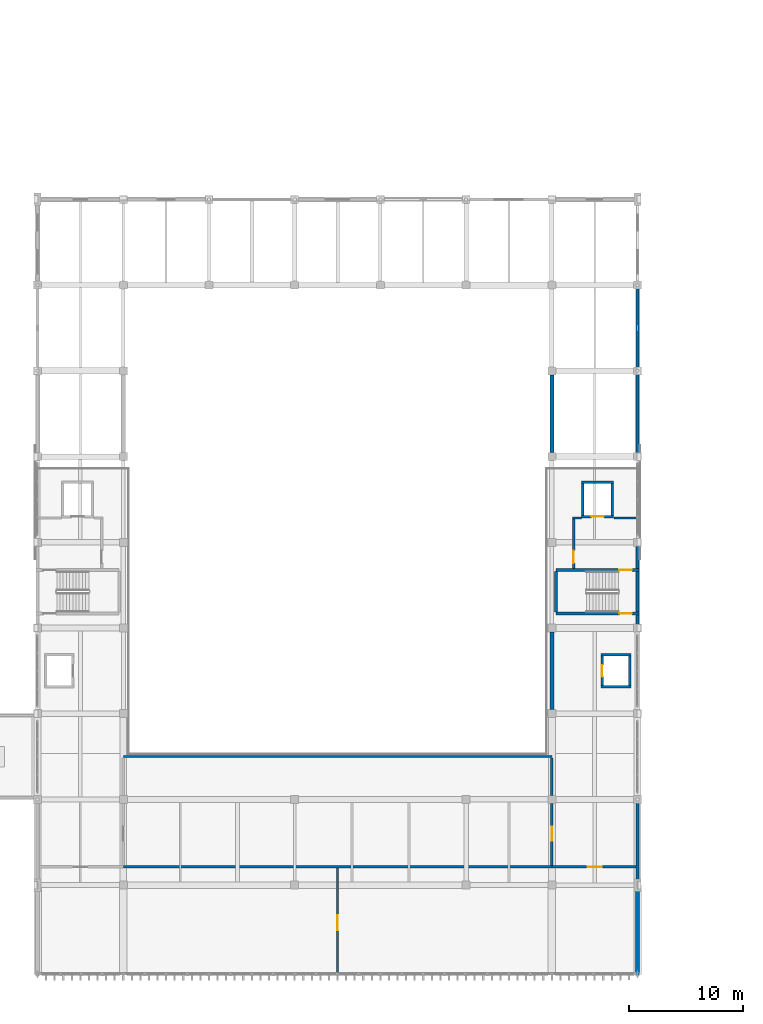
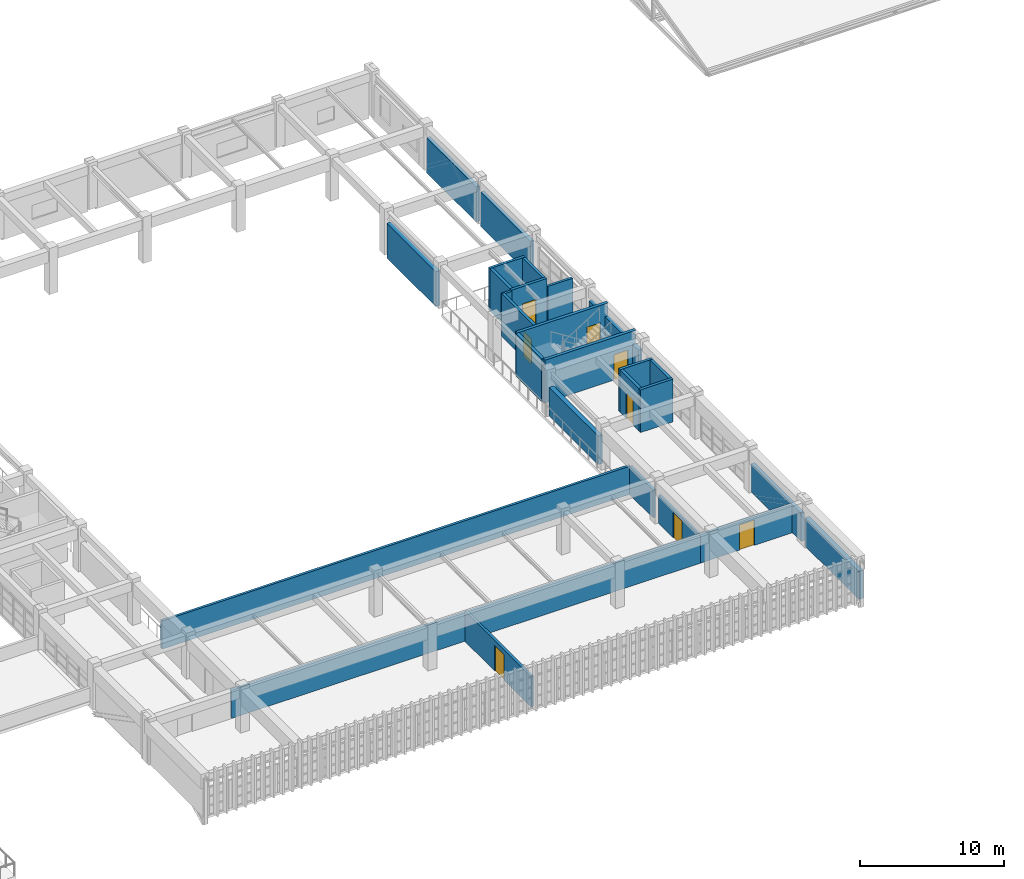
# One storey, part 63 of 82: 27 walls, 8 doors, 8 openings.
"""IFC4 building model written with IfcOpenShell, lengths in metres."""

from ifc_helpers import new_model, si_unit, direction, frame, frame_2d, origin, place, context, subcontext, project, spatial, rectangle, extrude, material, layer, layer_set, type_object, element, fill, save


model = new_model("IFC4")

# Units and contexts
model_context = context("Model", 3, precision=1e-05, world=origin(), true_north=direction((0.0, 1.0)))
body_context = subcontext(model_context, "Body", "Model", "MODEL_VIEW")
ifc_project = project(units=[si_unit("LENGTHUNIT", "METRE"), si_unit("AREAUNIT", "SQUARE_METRE"), si_unit("VOLUMEUNIT", "CUBIC_METRE"), si_unit("PLANEANGLEUNIT", "RADIAN"), si_unit("MASSUNIT", "GRAM", prefix="KILO")], contexts=[model_context])

# Site, building, storey
site_placement = place(None, origin())
site = spatial("IfcSite", under=ifc_project, at=site_placement, CompositionType="ELEMENT")
building_placement = place(site_placement, origin())
building = spatial("IfcBuilding", under=site, at=building_placement, Name="Qasida Concert Hall", CompositionType="ELEMENT")
storey_placement = place(building_placement, frame((0.0, 0.0, 17.10009765625)))
storey = spatial("IfcBuildingStorey", under=building, at=storey_placement, Name="L04", CompositionType="ELEMENT", Elevation=17.10009765625)

# Walls
ifc_material_1 = material(Name="Concrete C40/50", Category="concrete")
ifc_layer_1 = layer(ifc_material_1, 0.219970703125, Name="Concrete C40/50")
ifc_layer_set_1 = layer_set([ifc_layer_1], Name="Concrete C40/50")
wall_type_1 = type_object("IfcWallType", Name="WL-CW-220", PredefinedType="SOLIDWALL", material=ifc_layer_set_1)
for number, where, z_axis, x_axis, name in (
    (1, (101.7900390625, 39.85009765625, 0.0), (0.0, 0.0, 1.0), (1.0, 0.0, 0.0), "L04 LF-02 lift shaft wall S"),
    (2, (101.7900390625, 42.64990234375, 0.0), (0.0, 0.0, 1.0), (1.0, 0.0, 0.0), "L04 LF-02 lift shaft wall N"),
):
    element("IfcWall", number, at=place(storey_placement, frame(where, z_axis=z_axis, x_axis=x_axis)), inside=storey, type_object=wall_type_1, Name=name, PredefinedType="SOLIDWALL", context=body_context, shape_type="SweptSolid", body=[
        extrude(rectangle(XDim=2.619873046875, YDim=0.219970703125, at=frame_2d((1.31005859375, 0.0))), origin(), (0.0, 0.0, 1.0), 3.619873046875),
    ])

# Wall, opening, door
wall_1_placement = place(storey_placement, frame((101.89990234375, 39.9599609375, 0.0), z_axis=(0.0, 0.0, 1.0), x_axis=(0.0, 1.0, 0.0)))
wall_1 = element("IfcWall", 3, at=wall_1_placement, inside=storey, type_object=wall_type_1, Name="L04 LF-02 lift shaft wall W", PredefinedType="SOLIDWALL", context=body_context, shape_type="SweptSolid", body=[
    extrude(rectangle(XDim=2.580078125, YDim=0.219970703125, at=frame_2d((1.2900390625, 0.0))), origin(), (0.0, 0.0, 1.0), 3.619873046875),
])
opening_1_placement = place(wall_1_placement, frame((0.7900390625, 0.0, 0.0)))
opening_1 = element("IfcOpeningElement", 4, at=opening_1_placement, cuts=wall_1, Name="Opening LD-100", PredefinedType="OPENING", context=body_context, shape_type="SweptSolid", body=[
    extrude(rectangle(XDim=1.0, YDim=2.14990234375, at=frame_2d((0.5, 1.074951171875))), frame((0.0, 0.119873046875, 0.0), z_axis=(0.0, -1.0, 0.0), x_axis=(1.0, 0.0, 0.0)), (0.0, 0.0, 1.0), 0.239990234375),
])
ifc_material_2 = material(Name="Brushed bronze passenger lift landing door", Category="steel")
door_type_1 = type_object("IfcDoorType", Name="LD-100", OperationType="SLIDING_TO_LEFT", PredefinedType="DOOR", material=ifc_material_2)
door_1_placement = place(opening_1_placement, origin())
door_1 = element("IfcDoor", 5, at=door_1_placement, inside=storey, type_object=door_type_1, Name="Lift landing door LF-02 L04", OperationType="SLIDING_TO_LEFT", OverallHeight=2.14990234375, OverallWidth=1.0, PredefinedType="DOOR", context=body_context, shape_type="SweptSolid", body=[
    extrude(rectangle(XDim=1.0, YDim=2.14990234375, at=frame_2d((0.5, 1.074951171875))), frame((0.0, 0.02490234375, 0.0), z_axis=(0.0, -1.0, 0.0), x_axis=(1.0, 0.0, 0.0)), (0.0, 0.0, 1.0), 0.050048828125),
])
fill(opening_1, door_1)

# Wall
wall_2_placement = place(storey_placement, frame((104.300048828125, 39.9599609375, 0.0), z_axis=(0.0, 0.0, 1.0), x_axis=(0.0, 1.0, 0.0)))
element("IfcWall", 6, at=wall_2_placement, inside=storey, type_object=wall_type_1, Name="L04 LF-02 lift shaft wall E", PredefinedType="SOLIDWALL", context=body_context, shape_type="SweptSolid", body=[
    extrude(rectangle(XDim=2.580078125, YDim=0.219970703125, at=frame_2d((1.2900390625, 0.0))), origin(), (0.0, 0.0, 1.0), 3.619873046875),
])

# Wall, opening, door
wall_3_placement = place(storey_placement, frame((100.090087890625, 54.75, 0.0), z_axis=(0.0, 0.0, 1.0), x_axis=(1.0, 0.0, 0.0)))
wall_3 = element("IfcWall", 7, at=wall_3_placement, inside=storey, type_object=wall_type_1, Name="L04 LF-04 lift shaft wall S", PredefinedType="SOLIDWALL", context=body_context, shape_type="SweptSolid", body=[
    extrude(rectangle(XDim=2.81982421875, YDim=0.219970703125, at=frame_2d((1.409912109375, 0.0))), origin(), (0.0, 0.0, 1.0), 3.619873046875),
])
opening_2_placement = place(wall_3_placement, frame((0.860107421875, 0.0, 0.0)))
opening_2 = element("IfcOpeningElement", 8, at=opening_2_placement, cuts=wall_3, Name="Opening LD-110", PredefinedType="OPENING", context=body_context, shape_type="SweptSolid", body=[
    extrude(rectangle(XDim=1.10009765625, YDim=2.14990234375, at=frame_2d((0.550048828125, 1.074951171875))), frame((0.0, 0.119873046875, 0.0), z_axis=(0.0, -1.0, 0.0), x_axis=(1.0, 0.0, 0.0)), (0.0, 0.0, 1.0), 0.239990234375),
])
ifc_material_3 = material(Name="Firefighting lift sliding landing door", Category="steel")
door_type_2 = type_object("IfcDoorType", Name="LD-110", OperationType="SLIDING_TO_LEFT", PredefinedType="DOOR", material=ifc_material_3)
door_2_placement = place(opening_2_placement, origin())
door_2 = element("IfcDoor", 9, at=door_2_placement, inside=storey, type_object=door_type_2, Name="Lift landing door LF-04 L04", OperationType="SLIDING_TO_LEFT", OverallHeight=2.14990234375, OverallWidth=1.10009765625, PredefinedType="DOOR", context=body_context, shape_type="SweptSolid", body=[
    extrude(rectangle(XDim=1.10009765625, YDim=2.14990234375, at=frame_2d((0.550048828125, 1.074951171875))), frame((0.0, 0.02490234375, 0.0), z_axis=(0.0, -1.0, 0.0), x_axis=(1.0, 0.0, 0.0)), (0.0, 0.0, 1.0), 0.050048828125),
])
fill(opening_2, door_2)

# Walls
wall_4_placement = place(storey_placement, frame((100.090087890625, 57.75, 0.0), z_axis=(0.0, 0.0, 1.0), x_axis=(1.0, 0.0, 0.0)))
element("IfcWall", 10, at=wall_4_placement, inside=storey, type_object=wall_type_1, Name="L04 LF-04 lift shaft wall N", PredefinedType="SOLIDWALL", context=body_context, shape_type="SweptSolid", body=[
    extrude(rectangle(XDim=2.81982421875, YDim=0.219970703125, at=frame_2d((1.409912109375, 0.0))), origin(), (0.0, 0.0, 1.0), 3.619873046875),
])
for number, where, z_axis, x_axis, name in (
    (11, (100.199951171875, 54.860107421875, 0.0), (0.0, 0.0, 1.0), (0.0, 1.0, 0.0), "L04 LF-04 lift shaft wall W"),
    (12, (102.800048828125, 54.860107421875, 0.0), (0.0, 0.0, 1.0), (0.0, 1.0, 0.0), "L04 LF-04 lift shaft wall E"),
):
    element("IfcWall", number, at=place(storey_placement, frame(where, z_axis=z_axis, x_axis=x_axis)), inside=storey, type_object=wall_type_1, Name=name, PredefinedType="SOLIDWALL", context=body_context, shape_type="SweptSolid", body=[
        extrude(rectangle(XDim=2.77978515625, YDim=0.219970703125, at=frame_2d((1.389892578125, 0.0))), origin(), (0.0, 0.0, 1.0), 3.619873046875),
    ])

# Wall, opening, door
wall_5_placement = place(storey_placement, frame((99.39990234375, 50.219970703125, 0.0), z_axis=(0.0, 0.0, 1.0), x_axis=(0.0, 1.0, 0.0)))
wall_5 = element("IfcWall", 13, at=wall_5_placement, inside=storey, type_object=wall_type_1, Name="L04 LF-04 firefighting lobby wall", PredefinedType="SOLIDWALL", context=body_context, shape_type="SweptSolid", body=[
    extrude(rectangle(XDim=4.409912109375, YDim=0.219970703125, at=frame_2d((2.205078125, 0.0))), origin(), (0.0, 0.0, 1.0), 3.619873046875),
])
opening_3_placement = place(wall_5_placement, frame((0.449951171875, 0.0, 0.0)))
opening_3 = element("IfcOpeningElement", 14, at=opening_3_placement, cuts=wall_5, Name="Opening FD-110", PredefinedType="OPENING", context=body_context, shape_type="SweptSolid", body=[
    extrude(rectangle(XDim=1.10009765625, YDim=2.14990234375, at=frame_2d((0.550048828125, 1.074951171875))), frame((0.0, 0.119873046875, 0.0), z_axis=(0.0, -1.0, 0.0), x_axis=(1.0, 0.0, 0.0)), (0.0, 0.0, 1.0), 0.239990234375),
])
ifc_material_4 = material(Name="Steel fire-rated stair/lobby door set", Category="steel")
door_type_3 = type_object("IfcDoorType", Name="FD-110", OperationType="NOTDEFINED", PredefinedType="DOOR", material=ifc_material_4)
door_3_placement = place(opening_3_placement, origin())
door_3 = element("IfcDoor", 15, at=door_3_placement, inside=storey, type_object=door_type_3, Name="L04 LF-04 firefighting lobby fire door", OperationType="SINGLE_SWING_LEFT", OverallHeight=2.14990234375, OverallWidth=1.10009765625, PredefinedType="DOOR", context=body_context, shape_type="SweptSolid", body=[
    extrude(rectangle(XDim=1.10009765625, YDim=2.14990234375, at=frame_2d((0.550048828125, 1.074951171875))), frame((0.0, 0.02490234375, 0.0), z_axis=(0.0, -1.0, 0.0), x_axis=(1.0, 0.0, 0.0)), (0.0, 0.0, 1.0), 0.050048828125),
])
fill(opening_3, door_3)

ifc_layer_2 = layer(ifc_material_1, 0.25, Name="Concrete C40/50")
ifc_layer_set_2 = layer_set([ifc_layer_2], Name="Concrete C40/50")
wall_type_2 = type_object("IfcWallType", Name="WL-CW-250", PredefinedType="SOLIDWALL", material=ifc_layer_set_2)
wall_6_placement = place(storey_placement, frame((97.860107421875, 46.27490234375, 0.0), z_axis=(0.0, 0.0, 1.0), x_axis=(1.0, 0.0, 0.0)))
wall_6 = element("IfcWall", 16, at=wall_6_placement, inside=storey, type_object=wall_type_2, Name="L04 ST-02 stairwell wall S", PredefinedType="SOLIDWALL", context=body_context, shape_type="SweptSolid", body=[
    extrude(rectangle(XDim=7.260009765625, YDim=0.25, at=frame_2d((3.6298828125, 0.0))), origin(), (0.0, 0.0, 1.0), 3.619873046875),
])
opening_4_placement = place(wall_6_placement, frame((5.5400390625, 0.0, 0.0)))
opening_4 = element("IfcOpeningElement", 17, at=opening_4_placement, cuts=wall_6, Name="Opening FD-110", PredefinedType="OPENING", context=body_context, shape_type="SweptSolid", body=[
    extrude(rectangle(XDim=1.10009765625, YDim=2.14990234375, at=frame_2d((0.550048828125, 1.074951171875))), frame((0.0, 0.135009765625, 0.0), z_axis=(0.0, -1.0, 0.0), x_axis=(1.0, 0.0, 0.0)), (0.0, 0.0, 1.0), 0.27001953125),
])
door_4_placement = place(opening_4_placement, origin())
door_4 = element("IfcDoor", 18, at=door_4_placement, inside=storey, type_object=door_type_3, Name="L04 ST-02 rated stair door", OperationType="SINGLE_SWING_LEFT", OverallHeight=2.14990234375, OverallWidth=1.10009765625, PredefinedType="DOOR", context=body_context, shape_type="SweptSolid", body=[
    extrude(rectangle(XDim=1.10009765625, YDim=2.14990234375, at=frame_2d((0.550048828125, 1.074951171875))), frame((0.0, 0.02490234375, 0.0), z_axis=(0.0, -1.0, 0.0), x_axis=(1.0, 0.0, 0.0)), (0.0, 0.0, 1.0), 0.050048828125),
])
fill(opening_4, door_4)

wall_7_placement = place(storey_placement, frame((97.860107421875, 50.0849609375, 0.0), z_axis=(0.0, 0.0, 1.0), x_axis=(1.0, 0.0, 0.0)))
wall_7 = element("IfcWall", 19, at=wall_7_placement, inside=storey, type_object=wall_type_2, Name="L04 ST-02 stairwell wall N", PredefinedType="SOLIDWALL", context=body_context, shape_type="SweptSolid", body=[
    extrude(rectangle(XDim=7.260009765625, YDim=0.25, at=frame_2d((3.6298828125, 0.0))), origin(), (0.0, 0.0, 1.0), 3.619873046875),
])
opening_5_placement = place(wall_7_placement, frame((5.5400390625, 0.0, 0.0)))
opening_5 = element("IfcOpeningElement", 20, at=opening_5_placement, cuts=wall_7, Name="Opening FD-110", PredefinedType="OPENING", context=body_context, shape_type="SweptSolid", body=[
    extrude(rectangle(XDim=1.10009765625, YDim=2.14990234375, at=frame_2d((0.550048828125, 1.074951171875))), frame((0.0, 0.135009765625, 0.0), z_axis=(0.0, -1.0, 0.0), x_axis=(1.0, 0.0, 0.0)), (0.0, 0.0, 1.0), 0.27001953125),
])
door_5_placement = place(opening_5_placement, frame((1.10009765625, 0.0, 0.0), z_axis=(0.0, 0.0, 1.0), x_axis=(-1.0, 0.0, 0.0)))
door_5 = element("IfcDoor", 21, at=door_5_placement, inside=storey, type_object=door_type_3, Name="L04 ST-02 rated stair door", OperationType="SINGLE_SWING_RIGHT", OverallHeight=2.14990234375, OverallWidth=1.10009765625, PredefinedType="DOOR", context=body_context, shape_type="SweptSolid", body=[
    extrude(rectangle(XDim=1.10009765625, YDim=2.14990234375, at=frame_2d((0.550048828125, 1.074951171875))), frame((0.0, 0.02490234375, 0.0), z_axis=(0.0, -1.0, 0.0), x_axis=(1.0, 0.0, 0.0)), (0.0, 0.0, 1.0), 0.050048828125),
])
fill(opening_5, door_5)

# Walls
wall_8_placement = place(storey_placement, frame((97.85498046875, 46.39990234375, 0.0), z_axis=(0.0, 0.0, 1.0), x_axis=(0.0, 1.0, 0.0)))
element("IfcWall", 22, at=wall_8_placement, inside=storey, type_object=wall_type_2, Name="L04 ST-02 stairwell wall W", PredefinedType="SOLIDWALL", context=body_context, shape_type="SweptSolid", body=[
    extrude(rectangle(XDim=3.56005859375, YDim=0.25, at=frame_2d((1.780029296875, 0.0))), origin(), (0.0, 0.0, 1.0), 3.619873046875),
])
ifc_material_5 = material(Name="Precast concrete C40/50", Category="concrete")
ifc_layer_3 = layer(ifc_material_5, 0.280029296875, Name="Precast concrete C40/50")
ifc_layer_set_3 = layer_set([ifc_layer_3], Name="Precast concrete C40/50")
wall_type_3 = type_object("IfcWallType", Name="WL-EW-280", PredefinedType="SOLIDWALL", material=ifc_layer_set_3)
wall_9_placement = place(storey_placement, frame((105.0, 22.800048828125, 0.0), z_axis=(0.0, 0.0, 1.0), x_axis=(0.0, 1.0, 0.0)))
element("IfcWall", 23, at=wall_9_placement, inside=storey, type_object=wall_type_3, Name="L04 exterior wall EW-280 0080", PredefinedType="SOLIDWALL", context=body_context, shape_type="SweptSolid", body=[
    extrude(rectangle(XDim=6.89990234375, YDim=0.280029296875, at=frame_2d((3.449951171875, 0.0))), origin(), (0.0, 0.0, 1.0), 2.389892578125),
])
wall_10_placement = place(storey_placement, frame((105.0, 45.300048828125, 0.0), z_axis=(0.0, 0.0, 1.0), x_axis=(0.0, 1.0, 0.0)))
element("IfcWall", 24, at=wall_10_placement, inside=storey, type_object=wall_type_3, Name="L04 exterior wall EW-280 0082", PredefinedType="SOLIDWALL", context=body_context, shape_type="SweptSolid", body=[
    extrude(rectangle(XDim=6.89990234375, YDim=0.280029296875, at=frame_2d((3.449951171875, 0.0))), origin(), (0.0, 0.0, 1.0), 2.539794921875),
])
wall_11_placement = place(storey_placement, frame((105.0, 60.300048828125, -0.280029296875), z_axis=(0.0, 0.0, 1.0), x_axis=(0.0, 1.0, 0.0)))
element("IfcWall", 25, at=wall_11_placement, inside=storey, type_object=wall_type_3, Name="L04 exterior wall EW-280 0084", PredefinedType="SOLIDWALL", context=body_context, shape_type="SweptSolid", body=[
    extrude(rectangle(XDim=6.89990234375, YDim=0.280029296875, at=frame_2d((3.449951171875, 0.0))), origin(), (0.0, 0.0, 1.0), 2.919921875),
])
wall_12_placement = place(storey_placement, frame((105.0, 67.800048828125, -0.280029296875), z_axis=(0.0, 0.0, 1.0), x_axis=(0.0, 1.0, 0.0)))
element("IfcWall", 26, at=wall_12_placement, inside=storey, type_object=wall_type_3, Name="L04 exterior wall EW-280 0086", PredefinedType="SOLIDWALL", context=body_context, shape_type="SweptSolid", body=[
    extrude(rectangle(XDim=6.89990234375, YDim=0.280029296875, at=frame_2d((3.449951171875, 0.0))), origin(), (0.0, 0.0, 1.0), 2.969970703125),
])
ifc_layer_4 = layer(ifc_material_5, 0.360107421875, Name="Precast concrete C40/50")
ifc_layer_set_4 = layer_set([ifc_layer_4], Name="Precast concrete C40/50")
wall_type_4 = type_object("IfcWallType", Name="WL-EW-360", PredefinedType="SOLIDWALL", material=ifc_layer_set_4)
wall_13_placement = place(storey_placement, frame((105.0, 14.699951171875, 0.0), z_axis=(0.0, 0.0, 1.0), x_axis=(0.0, 1.0, 0.0)))
element("IfcWall", 27, at=wall_13_placement, inside=storey, type_object=wall_type_4, Name="L04 exterior wall EW-360 0013", PredefinedType="SOLIDWALL", context=body_context, shape_type="SweptSolid", body=[
    extrude(rectangle(XDim=7.5, YDim=0.360107421875, at=frame_2d((3.75, 0.0))), origin(), (0.0, 0.0, 1.0), 2.389892578125),
])
ifc_material_6 = material(Name="Acoustic gypsum block and mineral wool", Category="gypsum")
ifc_layer_5 = layer(ifc_material_6, 0.199951171875, Name="Acoustic gypsum block and mineral wool")
ifc_layer_set_5 = layer_set([ifc_layer_5], Name="Acoustic gypsum block and mineral wool")
wall_type_5 = type_object("IfcWallType", Name="WL-PW-200", PredefinedType="PARTITIONING", material=ifc_layer_set_5)
wall_14_placement = place(storey_placement, frame((99.2900390625, 54.6298828125, 0.0), z_axis=(0.0, 0.0, 1.0), x_axis=(1.0, 0.0, 0.0)))
element("IfcWall", 28, at=wall_14_placement, inside=storey, type_object=wall_type_5, Name="L04 LF-04 firefighting lobby return wall", PredefinedType="PARTITIONING", context=body_context, shape_type="SweptSolid", body=[
    extrude(rectangle(XDim=0.784912109375, YDim=0.199951171875, at=frame_2d((0.392578125, 0.0))), origin(), (0.0, 0.0, 1.0), 3.599853515625),
])
wall_15_placement = place(storey_placement, frame((102.925048828125, 54.6298828125, 0.0), z_axis=(0.0, 0.0, 1.0), x_axis=(1.0, 0.0, 0.0)))
element("IfcWall", 29, at=wall_15_placement, inside=storey, type_object=wall_type_5, Name="L04 LF-04 firefighting lobby return wall", PredefinedType="PARTITIONING", context=body_context, shape_type="SweptSolid", body=[
    extrude(rectangle(XDim=2.014892578125, YDim=0.199951171875, at=frame_2d((1.00732421875, 0.0))), origin(), (0.0, 0.0, 1.0), 3.0),
])

# Wall, opening, door
wall_16_placement = place(storey_placement, frame((97.5, 24.10009765625, 0.0), z_axis=(0.0, 0.0, 1.0), x_axis=(1.0, 0.0, 0.0)))
wall_16 = element("IfcWall", 30, at=wall_16_placement, inside=storey, type_object=wall_type_5, Name="L04 partition PW-200 0502", PredefinedType="PARTITIONING", context=body_context, shape_type="SweptSolid", body=[
    extrude(rectangle(XDim=7.345947265625, YDim=0.199951171875, at=frame_2d((3.6728515625, 0.0))), origin(), (0.0, 0.0, 1.0), 2.389892578125),
])
opening_6_placement = place(wall_16_placement, frame((3.14990234375, 0.0, 0.0)))
opening_6 = element("IfcOpeningElement", 31, at=opening_6_placement, cuts=wall_16, Name="Opening FD-120", PredefinedType="OPENING", context=body_context, shape_type="SweptSolid", body=[
    extrude(rectangle(XDim=1.199951171875, YDim=2.14990234375, at=frame_2d((0.60009765625, 1.074951171875))), frame((0.0, 0.10986328125, 0.0), z_axis=(0.0, -1.0, 0.0), x_axis=(1.0, 0.0, 0.0)), (0.0, 0.0, 1.0), 0.219970703125),
])
ifc_material_7 = material(Name="Steel fire-rated acoustic door set", Category="steel")
door_type_4 = type_object("IfcDoorType", Name="FD-120", OperationType="NOTDEFINED", PredefinedType="DOOR", material=ifc_material_7)
door_6_placement = place(opening_6_placement, origin())
door_6 = element("IfcDoor", 32, at=door_6_placement, inside=storey, type_object=door_type_4, Name="L04 L04 east south suite door", OperationType="SINGLE_SWING_LEFT", OverallHeight=2.14990234375, OverallWidth=1.199951171875, PredefinedType="DOOR", context=body_context, shape_type="SweptSolid", body=[
    extrude(rectangle(XDim=1.199951171875, YDim=2.14990234375, at=frame_2d((0.60009765625, 1.074951171875))), frame((0.0, 0.02490234375, 0.0), z_axis=(0.0, -1.0, 0.0), x_axis=(1.0, 0.0, 0.0)), (0.0, 0.0, 1.0), 0.050048828125),
])
fill(opening_6, door_6)

# Walls
for number, where, z_axis, x_axis, name in (
    (33, (60.0, 24.10009765625, 0.0), (0.0, 0.0, 1.0), (1.0, 0.0, 0.0), "L04 partition PW-200 0503"),
    (34, (60.0, 33.75, 0.0), (0.0, 0.0, 1.0), (1.0, 0.0, 0.0), "L04 partition PW-200 0504"),
):
    element("IfcWall", number, at=place(storey_placement, frame(where, z_axis=z_axis, x_axis=x_axis)), inside=storey, type_object=wall_type_5, Name=name, PredefinedType="PARTITIONING", context=body_context, shape_type="SweptSolid", body=[
        extrude(rectangle(XDim=37.5, YDim=0.199951171875, at=frame_2d((18.75, 0.0))), origin(), (0.0, 0.0, 1.0), 2.389892578125),
    ])

# Wall, opening, door
wall_17_placement = place(storey_placement, frame((78.75, 14.83203125, 0.0), z_axis=(0.0, 0.0, 1.0), x_axis=(0.0, 1.0, 0.0)))
wall_17 = element("IfcWall", 35, at=wall_17_placement, inside=storey, type_object=wall_type_5, Name="L04 partition PW-200 0505", PredefinedType="PARTITIONING", context=body_context, shape_type="SweptSolid", body=[
    extrude(rectangle(XDim=9.154052734375, YDim=0.199951171875, at=frame_2d((4.5771484375, 0.0))), origin(), (0.0, 0.0, 1.0), 2.58984375),
])
opening_7_placement = place(wall_17_placement, frame((3.718017578125, 0.0, 0.0)))
opening_7 = element("IfcOpeningElement", 36, at=opening_7_placement, cuts=wall_17, Name="Opening ID-130", PredefinedType="OPENING", context=body_context, shape_type="SweptSolid", body=[
    extrude(rectangle(XDim=1.300048828125, YDim=2.14990234375, at=frame_2d((0.64990234375, 1.074951171875))), frame((0.0, 0.10986328125, 0.0), z_axis=(0.0, -1.0, 0.0), x_axis=(1.0, 0.0, 0.0)), (0.0, 0.0, 1.0), 0.219970703125),
])
ifc_material_8 = material(Name="Bronze-framed glazed salon door", Category="aluminium")
door_type_5 = type_object("IfcDoorType", Name="ID-130", OperationType="NOTDEFINED", PredefinedType="DOOR", material=ifc_material_8)
door_7_placement = place(opening_7_placement, origin())
door_7 = element("IfcDoor", 37, at=door_7_placement, inside=storey, type_object=door_type_5, Name="L04 L04 south suite crossover door", OperationType="SINGLE_SWING_RIGHT", OverallHeight=2.14990234375, OverallWidth=1.300048828125, PredefinedType="DOOR", context=body_context, shape_type="SweptSolid", body=[
    extrude(rectangle(XDim=1.300048828125, YDim=2.14990234375, at=frame_2d((0.64990234375, 1.074951171875))), frame((0.0, 0.02490234375, 0.0), z_axis=(0.0, -1.0, 0.0), x_axis=(1.0, 0.0, 0.0)), (0.0, 0.0, 1.0), 0.050048828125),
])
fill(opening_7, door_7)

wall_18_placement = place(storey_placement, frame((97.5, 24.214111328125, 0.0), z_axis=(0.0, 0.0, 1.0), x_axis=(0.0, 1.0, 0.0)))
wall_18 = element("IfcWall", 38, at=wall_18_placement, inside=storey, type_object=wall_type_5, Name="L04 partition PW-200 0508", PredefinedType="PARTITIONING", context=body_context, shape_type="SweptSolid", body=[
    extrude(rectangle(XDim=5.421875, YDim=0.199951171875, at=frame_2d((2.7109375, 0.0))), origin(), (0.0, 0.0, 1.0), 2.389892578125),
])
opening_8_placement = place(wall_18_placement, frame((2.18603515625, 0.0, 0.0)))
opening_8 = element("IfcOpeningElement", 39, at=opening_8_placement, cuts=wall_18, Name="Opening FD-120", PredefinedType="OPENING", context=body_context, shape_type="SweptSolid", body=[
    extrude(rectangle(XDim=1.199951171875, YDim=2.14990234375, at=frame_2d((0.60009765625, 1.074951171875))), frame((0.0, 0.10986328125, 0.0), z_axis=(0.0, -1.0, 0.0), x_axis=(1.0, 0.0, 0.0)), (0.0, 0.0, 1.0), 0.219970703125),
])
door_8_placement = place(opening_8_placement, origin())
door_8 = element("IfcDoor", 40, at=door_8_placement, inside=storey, type_object=door_type_4, Name="L04 L04 central library east door", OperationType="SINGLE_SWING_RIGHT", OverallHeight=2.14990234375, OverallWidth=1.199951171875, PredefinedType="DOOR", context=body_context, shape_type="SweptSolid", body=[
    extrude(rectangle(XDim=1.199951171875, YDim=2.14990234375, at=frame_2d((0.60009765625, 1.074951171875))), frame((0.0, 0.02490234375, 0.0), z_axis=(0.0, -1.0, 0.0), x_axis=(1.0, 0.0, 0.0)), (0.0, 0.0, 1.0), 0.050048828125),
])
fill(opening_8, door_8)

# Walls
wall_19_placement = place(storey_placement, frame((97.5, 30.364013671875, 0.0), z_axis=(0.0, 0.0, 1.0), x_axis=(0.0, 1.0, 0.0)))
element("IfcWall", 41, at=wall_19_placement, inside=storey, type_object=wall_type_5, Name="L04 partition PW-200 0509", PredefinedType="PARTITIONING", context=body_context, shape_type="SweptSolid", body=[
    extrude(rectangle(XDim=3.27197265625, YDim=0.199951171875, at=frame_2d((1.635986328125, 0.0))), origin(), (0.0, 0.0, 1.0), 2.389892578125),
])
ifc_layer_6 = layer(ifc_material_1, 0.35009765625, Name="Concrete C40/50")
ifc_layer_set_6 = layer_set([ifc_layer_6], Name="Concrete C40/50")
wall_type_6 = type_object("IfcWallType", Name="WL-SW-350", PredefinedType="SHEAR", material=ifc_layer_set_6)
wall_20_placement = place(storey_placement, frame((97.5, 37.85009765625, 0.0), z_axis=(0.0, 0.0, 1.0), x_axis=(0.0, 1.0, 0.0)))
element("IfcWall", 42, at=wall_20_placement, inside=storey, type_object=wall_type_6, Name="L04 acoustic box shear wall 0038", PredefinedType="SHEAR", context=body_context, shape_type="SweptSolid", body=[
    extrude(rectangle(XDim=6.7998046875, YDim=0.35009765625, at=frame_2d((3.39990234375, 0.0))), origin(), (0.0, 0.0, 1.0), 2.419921875),
])
wall_21_placement = place(storey_placement, frame((97.5, 60.35009765625, -0.280029296875), z_axis=(0.0, 0.0, 1.0), x_axis=(0.0, 1.0, 0.0)))
element("IfcWall", 43, at=wall_21_placement, inside=storey, type_object=wall_type_6, Name="L04 acoustic box shear wall 0039", PredefinedType="SHEAR", context=body_context, shape_type="SweptSolid", body=[
    extrude(rectangle(XDim=6.7998046875, YDim=0.35009765625, at=frame_2d((3.39990234375, 0.0))), origin(), (0.0, 0.0, 1.0), 2.949951171875),
])

save(model, "model.ifc")
